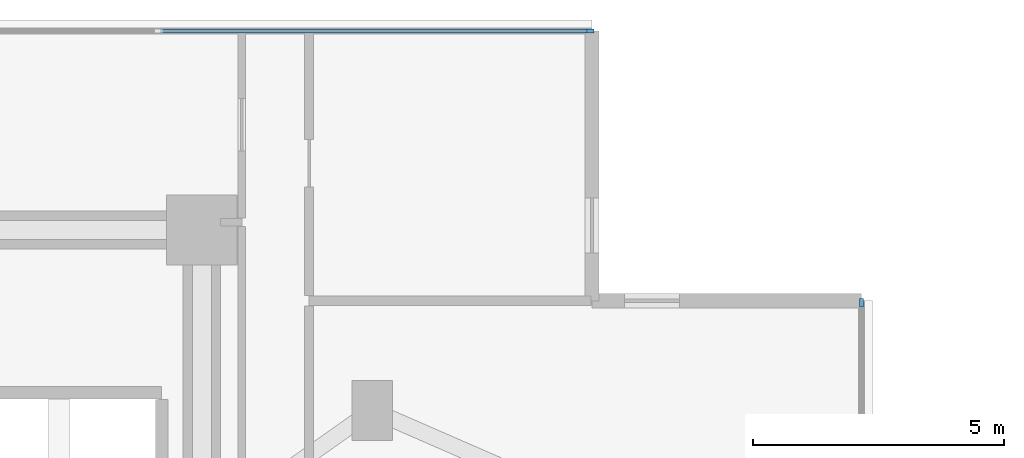
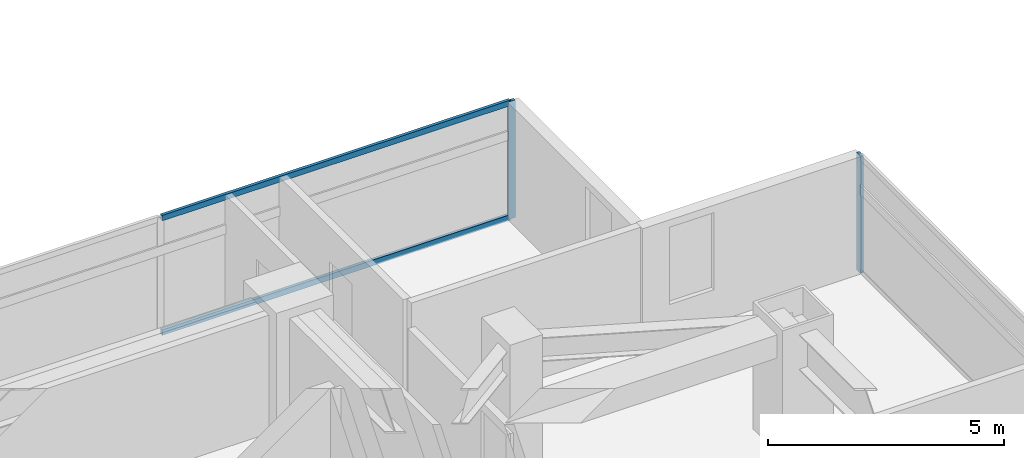
# One storey, part 8 of 27: 4 members, 2 elements without a shape of their own.
"""IFC4 building model written with IfcOpenShell, lengths in metres."""

from ifc_helpers import new_model, si_unit, direction, frame, origin, origin_2d, place, context, subcontext, project, spatial, rectangle, extrude, material, material_profile, profile_set, type_object, element, aggregate, save


model = new_model("IFC4")

# Units and contexts
model_context = context("Model", 3, precision=1e-05, world=origin(), true_north=direction((0.0, 1.0)))
body_context = subcontext(model_context, "Body", "Model", "MODEL_VIEW")
ifc_project = project(units=[si_unit("LENGTHUNIT", "METRE"), si_unit("AREAUNIT", "SQUARE_METRE"), si_unit("VOLUMEUNIT", "CUBIC_METRE"), si_unit("PLANEANGLEUNIT", "RADIAN"), si_unit("MASSUNIT", "GRAM", prefix="KILO")], contexts=[model_context])

# Site, building, storey
site_placement = place(None, origin())
site = spatial("IfcSite", under=ifc_project, at=site_placement, CompositionType="ELEMENT")
building_placement = place(site_placement, origin())
building = spatial("IfcBuilding", under=site, at=building_placement, Name="Mirazonda Arch Towers", CompositionType="ELEMENT")
storey_placement = place(building_placement, frame((0.0, 0.0, 42.199951171875)))
storey = spatial("IfcBuildingStorey", under=building, at=storey_placement, Name="L11", CompositionType="ELEMENT", Elevation=42.199951171875)

# Curtain wall, member
ifc_material_1 = material(Name="Anodised Aluminium and Low-E Glass", Category="aluminium")
curtain_wall_type = type_object("IfcCurtainWallType", Name="CW-HTL-UNIT", PredefinedType="NOTDEFINED", material=ifc_material_1)
curtain_wall_1_placement = place(storey_placement, origin())
curtain_wall_1 = element("IfcCurtainWall", 1, at=curtain_wall_1_placement, inside=storey, type_object=curtain_wall_type, Name="L11 T1 E Facade CW-L11-T1-E", PredefinedType="NOTDEFINED")
ifc_material_2 = material(Name="Anodised Aluminium Alloy", Category="aluminium")
ifc_material_profile_1 = material_profile(ifc_material_2, rectangle(XDim=0.074951171875, YDim=0.1650390625, at=origin_2d()), Name="ALU-MULL-75x165")
ifc_profile_set_1 = profile_set([ifc_material_profile_1], Name="Anodised Aluminium Alloy")
member_type_1 = type_object("IfcMemberType", Name="MULL-CW-HTL-UNIT", PredefinedType="MULLION", material=ifc_profile_set_1)
member_1_placement = place(storey_placement, frame((43.159912109375, 42.150390625, 0.0), z_axis=(0.0, 0.0, 1.0), x_axis=(-1.0, 0.0, 0.0)))
member_1 = element("IfcMember", 2, at=member_1_placement, type_object=member_type_1, Name="CW-112 mullion 4", PredefinedType="MULLION", context=body_context, shape_type="SweptSolid", body=[
    extrude(rectangle(XDim=0.074951171875, YDim=0.1650390625, at=origin_2d()), origin(), (0.0, 0.0, 1.0), 3.0400390625),
])
aggregate(curtain_wall_1, [member_1])

# Curtain wall, members
curtain_wall_2_placement = place(storey_placement, origin())
curtain_wall_2 = element("IfcCurtainWall", 3, at=curtain_wall_2_placement, inside=storey, type_object=curtain_wall_type, Name="L11 T1 N Facade CW-L11-T1-N", PredefinedType="NOTDEFINED")
member_2_placement = place(storey_placement, frame((37.742431640625, 47.568115234375, 0.0), z_axis=(0.0, 0.0, 1.0), x_axis=(0.0, 1.0, 0.0)))
member_2 = element("IfcMember", 4, at=member_2_placement, type_object=member_type_1, Name="CW-112 mullion 5", PredefinedType="MULLION", context=body_context, shape_type="SweptSolid", body=[
    extrude(rectangle(XDim=0.074951171875, YDim=0.1650390625, at=origin_2d()), origin(), (0.0, 0.0, 1.0), 3.0400390625),
])
ifc_material_profile_2 = material_profile(ifc_material_2, rectangle(XDim=0.074951171875, YDim=0.14501953125, at=origin_2d()), Name="ALU-TRAN-75x145")
ifc_profile_set_2 = profile_set([ifc_material_profile_2], Name="Anodised Aluminium Alloy")
member_type_2 = type_object("IfcMemberType", Name="TRAN-CW-HTL-UNIT", PredefinedType="USERDEFINED", material=ifc_profile_set_2)
member_3_placement = place(storey_placement, frame((29.177490234375, 47.568115234375, 0.03759765625), z_axis=(1.0, 0.0, 0.0), x_axis=(0.0, 1.0, 0.0)))
member_3 = element("IfcMember", 5, at=member_3_placement, type_object=member_type_2, Name="CW-112 transom 4.1", ObjectType="TRANSOM", PredefinedType="USERDEFINED", context=body_context, shape_type="SweptSolid", body=[
    extrude(rectangle(XDim=0.074951171875, YDim=0.14501953125, at=origin_2d()), origin(), (0.0, 0.0, 1.0), 8.527587890625),
])
member_4_placement = place(storey_placement, frame((29.177490234375, 47.568115234375, 3.00244140625), z_axis=(1.0, 0.0, 0.0), x_axis=(0.0, 1.0, 0.0)))
member_4 = element("IfcMember", 6, at=member_4_placement, type_object=member_type_2, Name="CW-112 transom 4.2", ObjectType="TRANSOM", PredefinedType="USERDEFINED", context=body_context, shape_type="SweptSolid", body=[
    extrude(rectangle(XDim=0.074951171875, YDim=0.14501953125, at=origin_2d()), origin(), (0.0, 0.0, 1.0), 8.527587890625),
])
aggregate(curtain_wall_2, [member_2, member_3, member_4])

save(model, "model.ifc")
